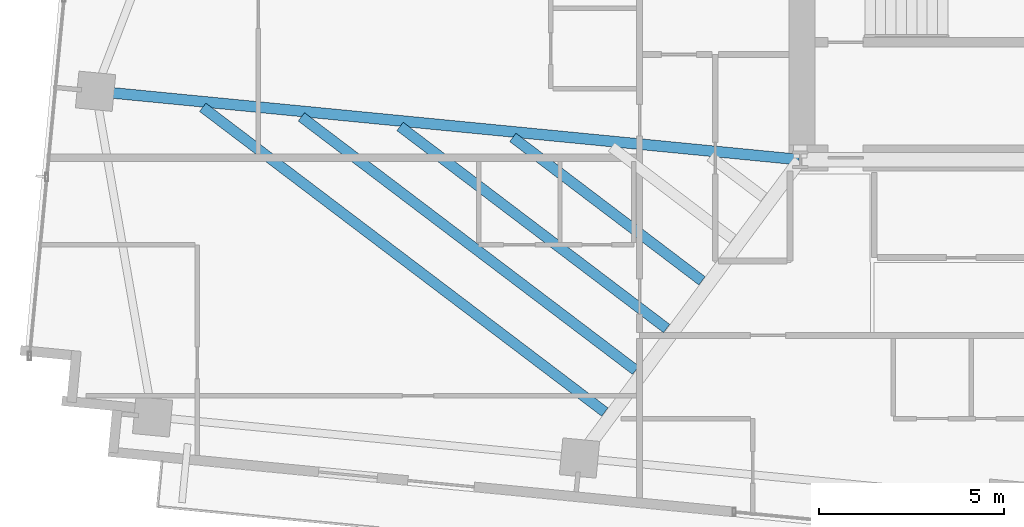
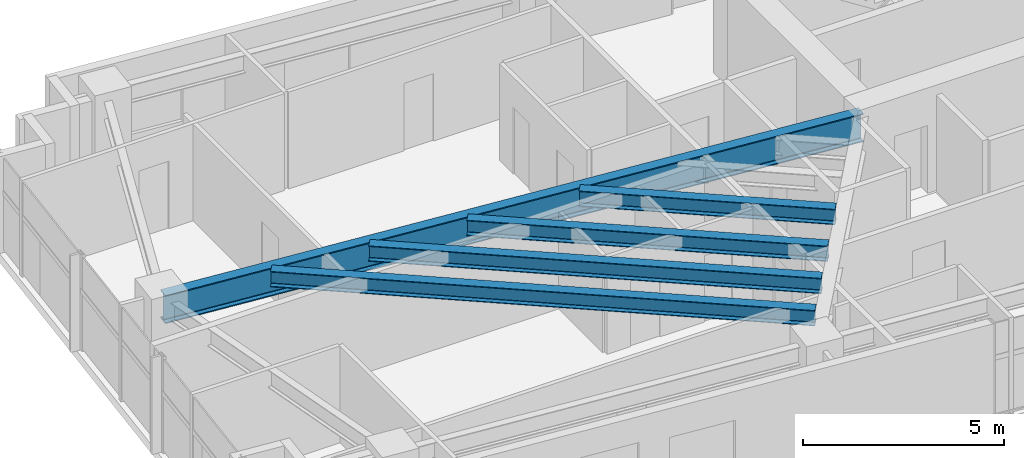
# One storey, part 3 of 20: 5 beams.
"""IFC4 building model written with IfcOpenShell, lengths in metres."""

from ifc_helpers import new_model, si_unit, direction, frame, origin, origin_2d, place, context, subcontext, project, spatial, i_section, extrude, source, transform, mapped, material, material_profile, profile_set, type_object, type_shapes, element, save


model = new_model("IFC4")

# Units and contexts
model_context = context("Model", 3, precision=1e-05, world=origin(), true_north=direction((0.0, 1.0)))
body_context = subcontext(model_context, "Body", "Model", "MODEL_VIEW")
ifc_project = project(units=[si_unit("LENGTHUNIT", "METRE"), si_unit("AREAUNIT", "SQUARE_METRE"), si_unit("VOLUMEUNIT", "CUBIC_METRE"), si_unit("PLANEANGLEUNIT", "RADIAN"), si_unit("MASSUNIT", "GRAM", prefix="KILO")], contexts=[model_context])

# Site, building, storey
site_placement = place(None, origin())
site = spatial("IfcSite", under=ifc_project, at=site_placement, CompositionType="ELEMENT")
building_placement = place(site_placement, origin())
building = spatial("IfcBuilding", under=site, at=building_placement, Name="Astriad Promenade Condominiums", CompositionType="ELEMENT")
storey_placement = place(building_placement, frame((0.0, 0.0, 134.199951171875)))
storey = spatial("IfcBuildingStorey", under=building, at=storey_placement, Name="L38", CompositionType="ELEMENT", Elevation=134.199951171875)

# Beams
ifc_material = material(Name="Steel ASTM A992 Grade 50", Category="steel")
ifc_material_profile_1 = material_profile(ifc_material, i_section(OverallWidth=0.2919921875, OverallDepth=0.85888671875, WebThickness=0.01708984375, FlangeThickness=0.031005859375, FilletRadius=0.02294921875, at=origin_2d()), Name="W33X169")
ifc_profile_set_1 = profile_set([ifc_material_profile_1], Name="Steel ASTM A992 Grade 50")
beam_type_1 = type_object("IfcBeamType", Name="STEEL PRIMARY GIRDER W33X169", PredefinedType="BEAM", material=ifc_profile_set_1)
shared_shape_1 = source(origin(), body_context, "Body", "SweptSolid", [
    extrude(i_section(OverallWidth=0.2919921875, OverallDepth=0.85888671875, WebThickness=0.01708984375, FlangeThickness=0.031005859375, FilletRadius=0.02294921875, at=origin_2d()), origin(), (0.0, 0.0, 1.0), 19.07177734375),
])
type_shapes(beam_type_1, [shared_shape_1])
beam_1_placement = place(storey_placement, frame((7.377685546875, 19.247802734375, 2.510498046875), z_axis=(0.995314830032, -0.096687068001, 0.0), x_axis=(0.096687068001, 0.995314830032, 0.0)))
element("IfcBeam", 1, at=beam_1_placement, inside=storey, type_object=beam_type_1, Name="Primary Floor Girder PG-WM-L38", PredefinedType="BEAM", context=body_context, shape_type="MappedRepresentation", body=[
    mapped(shared_shape_1, transform((0.0, 0.0, 0.0), scale=1.0)),
])
ifc_material_profile_2 = material_profile(ifc_material, i_section(OverallWidth=0.283203125, OverallDepth=0.47216796875, WebThickness=0.013671875, FlangeThickness=0.022216796875, FilletRadius=0.01513671875, at=origin_2d()), Name="W18X97")
ifc_profile_set_2 = profile_set([ifc_material_profile_2], Name="Steel ASTM A992 Grade 50")
beam_type_2 = type_object("IfcBeamType", Name="STEEL FLOOR JOIST W18X97", PredefinedType="JOIST", material=ifc_profile_set_2)
shared_shape_2 = source(origin(), body_context, "Body", "SweptSolid", [
    extrude(i_section(OverallWidth=0.283203125, OverallDepth=0.47216796875, WebThickness=0.013671875, FlangeThickness=0.022216796875, FilletRadius=0.01513671875, at=origin_2d()), origin(), (0.0, 0.0, 1.0), 13.64697265625),
])
beam_2_placement = place(storey_placement, frame((10.236572265625, 18.818115234375, 2.703857421875), z_axis=(0.796973667543, -0.604014050534, 0.0), x_axis=(0.604014050534, 0.796973667543, 0.0)))
element("IfcBeam", 2, at=beam_2_placement, inside=storey, type_object=beam_type_2, Name="Secondary Composite Floor Joist JW1-1-L38", PredefinedType="JOIST", context=body_context, shape_type="MappedRepresentation", body=[
    mapped(shared_shape_2, transform((0.0, 0.0, 0.0), scale=1.0)),
])
shared_shape_3 = source(origin(), body_context, "Body", "SweptSolid", [
    extrude(i_section(OverallWidth=0.283203125, OverallDepth=0.47216796875, WebThickness=0.013671875, FlangeThickness=0.022216796875, FilletRadius=0.01513671875, at=origin_2d()), origin(), (0.0, 0.0, 1.0), 11.347412109375),
])
beam_3_placement = place(storey_placement, frame((12.9052734375, 18.558837890625, 2.703857421875), z_axis=(0.796976964849, -0.60400969984, 0.0), x_axis=(0.60400969984, 0.796976964849, 0.0)))
element("IfcBeam", 3, at=beam_3_placement, inside=storey, type_object=beam_type_2, Name="Secondary Composite Floor Joist JW1-2-L38", PredefinedType="JOIST", context=body_context, shape_type="MappedRepresentation", body=[
    mapped(shared_shape_3, transform((0.0, 0.0, 0.0), scale=1.0)),
])
shared_shape_4 = source(origin(), body_context, "Body", "SweptSolid", [
    extrude(i_section(OverallWidth=0.283203125, OverallDepth=0.47216796875, WebThickness=0.013671875, FlangeThickness=0.022216796875, FilletRadius=0.01513671875, at=origin_2d()), origin(), (0.0, 0.0, 1.0), 9.048095703125),
])
beam_4_placement = place(storey_placement, frame((15.573974609375, 18.299560546875, 2.703857421875), z_axis=(0.796981937997, -0.604003137829, 0.0), x_axis=(0.604003137829, 0.796981937997, 0.0)))
element("IfcBeam", 4, at=beam_4_placement, inside=storey, type_object=beam_type_2, Name="Secondary Composite Floor Joist JW1-3-L38", PredefinedType="JOIST", context=body_context, shape_type="MappedRepresentation", body=[
    mapped(shared_shape_4, transform((0.0, 0.0, 0.0), scale=1.0)),
])
shared_shape_5 = source(origin(), body_context, "Body", "SweptSolid", [
    extrude(i_section(OverallWidth=0.283203125, OverallDepth=0.47216796875, WebThickness=0.013671875, FlangeThickness=0.022216796875, FilletRadius=0.01513671875, at=origin_2d()), origin(), (0.0, 0.0, 1.0), 6.420654296875),
])
type_shapes(beam_type_2, [shared_shape_2, shared_shape_3, shared_shape_4, shared_shape_5])
beam_5_placement = place(storey_placement, frame((18.6240234375, 18.00341796875, 2.703857421875), z_axis=(0.796964567146, -0.604026057976, 0.0), x_axis=(0.604026057976, 0.796964567146, 0.0)))
element("IfcBeam", 5, at=beam_5_placement, inside=storey, type_object=beam_type_2, Name="Secondary Composite Floor Joist JW1-4-L38", PredefinedType="JOIST", context=body_context, shape_type="MappedRepresentation", body=[
    mapped(shared_shape_5, transform((0.0, 0.0, 0.0), scale=1.0)),
])

save(model, "model.ifc")
